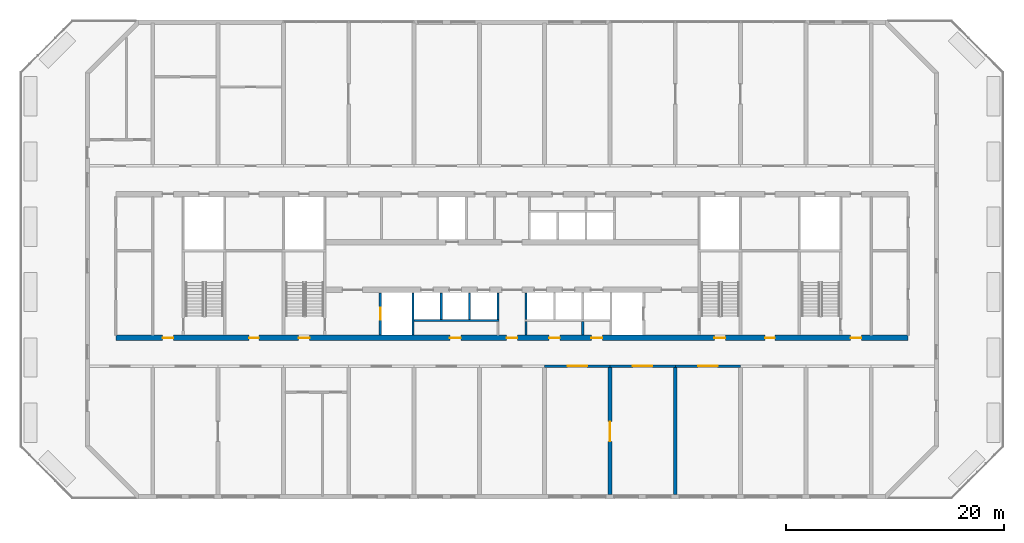
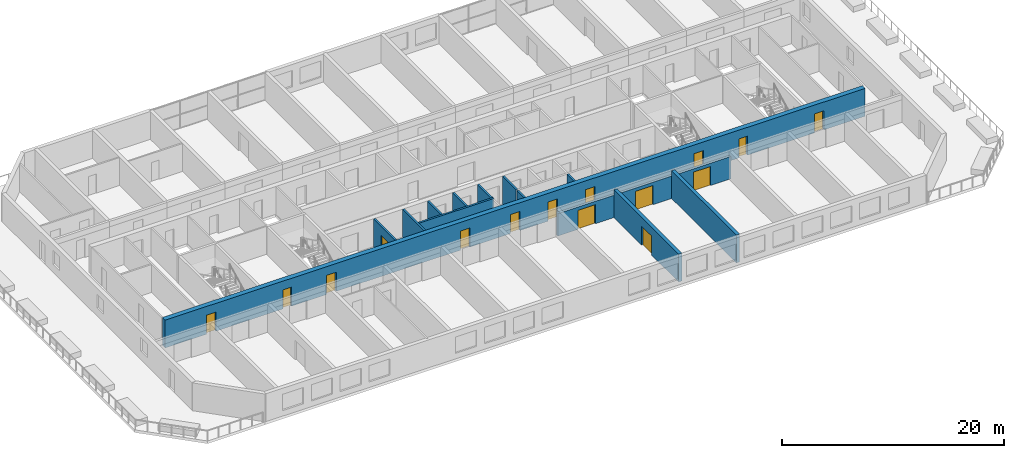
# One storey, part 9 of 18: 15 doors, 15 walls, 15 openings.
"""IFC4 building model written with IfcOpenShell, lengths in metres."""

from ifc_helpers import new_model, si_unit, direction, frame, frame_2d, origin, place, context, subcontext, project, spatial, rectangle, extrude, material, layer, layer_set, type_object, element, fill, save


model = new_model("IFC4")

# Units and contexts
model_context = context("Model", 3, precision=1e-05, world=origin(), true_north=direction((0.0, 1.0)))
body_context = subcontext(model_context, "Body", "Model", "MODEL_VIEW")
ifc_project = project(units=[si_unit("LENGTHUNIT", "METRE"), si_unit("AREAUNIT", "SQUARE_METRE"), si_unit("VOLUMEUNIT", "CUBIC_METRE"), si_unit("PLANEANGLEUNIT", "RADIAN"), si_unit("MASSUNIT", "GRAM", prefix="KILO")], contexts=[model_context])

# Site, building, storey
site_placement = place(None, origin())
site = spatial("IfcSite", under=ifc_project, at=site_placement, CompositionType="ELEMENT")
building_placement = place(site_placement, origin())
building = spatial("IfcBuilding", under=site, at=building_placement, Name="Poui Terraces", CompositionType="ELEMENT")
storey_placement = place(building_placement, frame((0.0, 0.0, 105.89990234375)))
storey = spatial("IfcBuildingStorey", under=building, at=storey_placement, Name="L29", CompositionType="ELEMENT", Elevation=105.89990234375)

# Wall, opening, door
ifc_material_1 = material(Name="Concrete 65 MPa", Category="concrete")
ifc_layer_1 = layer(ifc_material_1, 0.25)
ifc_layer_set_1 = layer_set([ifc_layer_1], Name="Concrete 65 MPa")
wall_type_1 = type_object("IfcWallType", Name="CORRIDOR WALL 250 65MPa", PredefinedType="SHEAR", material=ifc_layer_set_1)
wall_1_placement = place(storey_placement, frame((54.0, 12.0, 0.0), z_axis=(0.0, 0.0, 1.0), x_axis=(1.0, 0.0, 0.0)))
wall_1 = element("IfcWall", 1, at=wall_1_placement, inside=storey, type_object=wall_type_1, Name="CORRIDOR WALL LINE B BAY 8", PredefinedType="SHEAR", context=body_context, shape_type="SweptSolid", body=[
    extrude(rectangle(XDim=6.0, YDim=0.25, at=frame_2d((3.0, 0.0))), origin(), (0.0, 0.0, 1.0), 2.460205078125),
])
opening_1_placement = place(wall_1_placement, frame((2.10009765625, 0.0, 0.0)))
opening_1 = element("IfcOpeningElement", 2, at=opening_1_placement, cuts=wall_1, Name="Opening DD180", PredefinedType="OPENING", context=body_context, shape_type="SweptSolid", body=[
    extrude(rectangle(XDim=1.800048828125, YDim=2.10009765625, at=frame_2d((0.89990234375, 1.050048828125))), frame((0.0, 0.135009765625, 0.0), z_axis=(0.0, -1.0, 0.0), x_axis=(1.0, 0.0, 0.0)), (0.0, 0.0, 1.0), 0.27001953125),
])
ifc_material_2 = material(Name="Steel fire door", Category="steel")
door_type_1 = type_object("IfcDoorType", Name="DOUBLE INTERNAL DOOR 1800 X 2100", OperationType="DOUBLE_DOOR_SINGLE_SWING", PredefinedType="DOOR", material=ifc_material_2)
door_1_placement = place(opening_1_placement, origin())
door_1 = element("IfcDoor", 3, at=door_1_placement, inside=storey, type_object=door_type_1, Name="DOUBLE INTERNAL DOOR 044", OperationType="DOUBLE_DOOR_SINGLE_SWING", OverallHeight=2.10009765625, OverallWidth=1.800048828125, PredefinedType="DOOR", context=body_context, shape_type="SweptSolid", body=[
    extrude(rectangle(XDim=1.800048828125, YDim=2.10009765625, at=frame_2d((0.89990234375, 1.050048828125))), frame((0.0, 0.02490234375, 0.0), z_axis=(0.0, -1.0, 0.0), x_axis=(1.0, 0.0, 0.0)), (0.0, 0.0, 1.0), 0.050048828125),
])
fill(opening_1, door_1)

wall_2_placement = place(storey_placement, frame((60.0, 12.0, 0.0), z_axis=(0.0, 0.0, 1.0), x_axis=(1.0, 0.0, 0.0)))
wall_2 = element("IfcWall", 4, at=wall_2_placement, inside=storey, type_object=wall_type_1, Name="CORRIDOR WALL LINE B BAY 9", PredefinedType="SHEAR", context=body_context, shape_type="SweptSolid", body=[
    extrude(rectangle(XDim=6.0, YDim=0.25, at=frame_2d((3.0, 0.0))), origin(), (0.0, 0.0, 1.0), 2.460205078125),
])
opening_2_placement = place(wall_2_placement, frame((2.10009765625, 0.0, 0.0)))
opening_2 = element("IfcOpeningElement", 5, at=opening_2_placement, cuts=wall_2, Name="Opening DD180", PredefinedType="OPENING", context=body_context, shape_type="SweptSolid", body=[
    extrude(rectangle(XDim=1.800048828125, YDim=2.10009765625, at=frame_2d((0.89990234375, 1.050048828125))), frame((0.0, 0.135009765625, 0.0), z_axis=(0.0, -1.0, 0.0), x_axis=(1.0, 0.0, 0.0)), (0.0, 0.0, 1.0), 0.27001953125),
])
door_2_placement = place(opening_2_placement, origin())
door_2 = element("IfcDoor", 6, at=door_2_placement, inside=storey, type_object=door_type_1, Name="DOUBLE INTERNAL DOOR 046", OperationType="DOUBLE_DOOR_SINGLE_SWING", OverallHeight=2.10009765625, OverallWidth=1.800048828125, PredefinedType="DOOR", context=body_context, shape_type="SweptSolid", body=[
    extrude(rectangle(XDim=1.800048828125, YDim=2.10009765625, at=frame_2d((0.89990234375, 1.050048828125))), frame((0.0, 0.02490234375, 0.0), z_axis=(0.0, -1.0, 0.0), x_axis=(1.0, 0.0, 0.0)), (0.0, 0.0, 1.0), 0.050048828125),
])
fill(opening_2, door_2)

wall_3_placement = place(storey_placement, frame((66.0, 12.0, 0.0), z_axis=(0.0, 0.0, 1.0), x_axis=(1.0, 0.0, 0.0)))
wall_3 = element("IfcWall", 7, at=wall_3_placement, inside=storey, type_object=wall_type_1, Name="CORRIDOR WALL LINE B BAY 10", PredefinedType="SHEAR", context=body_context, shape_type="SweptSolid", body=[
    extrude(rectangle(XDim=6.0, YDim=0.25, at=frame_2d((3.0, 0.0))), origin(), (0.0, 0.0, 1.0), 2.460205078125),
])
opening_3_placement = place(wall_3_placement, frame((2.10009765625, 0.0, 0.0)))
opening_3 = element("IfcOpeningElement", 8, at=opening_3_placement, cuts=wall_3, Name="Opening DD180", PredefinedType="OPENING", context=body_context, shape_type="SweptSolid", body=[
    extrude(rectangle(XDim=1.800048828125, YDim=2.10009765625, at=frame_2d((0.89990234375, 1.050048828125))), frame((0.0, 0.135009765625, 0.0), z_axis=(0.0, -1.0, 0.0), x_axis=(1.0, 0.0, 0.0)), (0.0, 0.0, 1.0), 0.27001953125),
])
door_3_placement = place(opening_3_placement, origin())
door_3 = element("IfcDoor", 9, at=door_3_placement, inside=storey, type_object=door_type_1, Name="DOUBLE INTERNAL DOOR 047", OperationType="DOUBLE_DOOR_SINGLE_SWING", OverallHeight=2.10009765625, OverallWidth=1.800048828125, PredefinedType="DOOR", context=body_context, shape_type="SweptSolid", body=[
    extrude(rectangle(XDim=1.800048828125, YDim=2.10009765625, at=frame_2d((0.89990234375, 1.050048828125))), frame((0.0, 0.02490234375, 0.0), z_axis=(0.0, -1.0, 0.0), x_axis=(1.0, 0.0, 0.0)), (0.0, 0.0, 1.0), 0.050048828125),
])
fill(opening_3, door_3)

ifc_layer_2 = layer(ifc_material_1, 0.35009765625)
ifc_layer_set_2 = layer_set([ifc_layer_2], Name="Concrete 65 MPa")
wall_type_2 = type_object("IfcWallType", Name="CROSS WALL 350 65MPa", PredefinedType="SHEAR", material=ifc_layer_set_2)
wall_4_placement = place(storey_placement, frame((60.0, 0.199951171875, 0.0), z_axis=(0.0, 0.0, 1.0), x_axis=(0.0, 1.0, 0.0)))
wall_4 = element("IfcWall", 10, at=wall_4_placement, inside=storey, type_object=wall_type_2, Name="CROSS WALL LINE 11 SOUTH", PredefinedType="SHEAR", context=body_context, shape_type="SweptSolid", body=[
    extrude(rectangle(XDim=11.675048828125, YDim=0.35009765625, at=frame_2d((5.83740234375, 0.0))), origin(), (0.0, 0.0, 1.0), 3.06005859375),
])
opening_4_placement = place(wall_4_placement, frame((4.89990234375, 0.0, 0.0)))
opening_4 = element("IfcOpeningElement", 11, at=opening_4_placement, cuts=wall_4, Name="Opening DD180", PredefinedType="OPENING", context=body_context, shape_type="SweptSolid", body=[
    extrude(rectangle(XDim=1.800048828125, YDim=2.10009765625, at=frame_2d((0.89990234375, 1.050048828125))), frame((0.0, 0.18505859375, 0.0), z_axis=(0.0, -1.0, 0.0), x_axis=(1.0, 0.0, 0.0)), (0.0, 0.0, 1.0), 0.3701171875),
])
door_4_placement = place(opening_4_placement, origin())
door_4 = element("IfcDoor", 12, at=door_4_placement, inside=storey, type_object=door_type_1, Name="DOUBLE INTERNAL DOOR 069", OperationType="DOUBLE_DOOR_SINGLE_SWING", OverallHeight=2.10009765625, OverallWidth=1.800048828125, PredefinedType="DOOR", context=body_context, shape_type="SweptSolid", body=[
    extrude(rectangle(XDim=1.800048828125, YDim=2.10009765625, at=frame_2d((0.89990234375, 1.050048828125))), frame((0.0, 0.02490234375, 0.0), z_axis=(0.0, -1.0, 0.0), x_axis=(1.0, 0.0, 0.0)), (0.0, 0.0, 1.0), 0.050048828125),
])
fill(opening_4, door_4)

# Walls
wall_5_placement = place(storey_placement, frame((66.0, 0.199951171875, 0.0), z_axis=(0.0, 0.0, 1.0), x_axis=(0.0, 1.0, 0.0)))
element("IfcWall", 13, at=wall_5_placement, inside=storey, type_object=wall_type_2, Name="CROSS WALL LINE 12 SOUTH", PredefinedType="SHEAR", context=body_context, shape_type="SweptSolid", body=[
    extrude(rectangle(XDim=11.675048828125, YDim=0.35009765625, at=frame_2d((5.83740234375, 0.0))), origin(), (0.0, 0.0, 1.0), 3.06005859375),
])
ifc_material_3 = material(Name="Fire-rated masonry wall", Category="masonry")
ifc_layer_3 = layer(ifc_material_3, 0.199951171875)
ifc_layer_set_3 = layer_set([ifc_layer_3], Name="Fire-rated masonry wall")
wall_type_3 = type_object("IfcWallType", Name="PLANT ROOM WALL 200", PredefinedType="PARTITIONING", material=ifc_layer_set_3)
for number, where, z_axis, x_axis, name in (
    (14, (52.300048828125, 14.860107421875, 0.0), (0.0, 0.0, 1.0), (0.0, 1.0, 0.0), "PLANT ROOM WALL 200"),
    (15, (57.5, 14.860107421875, 0.0), (0.0, 0.0, 1.0), (0.0, 1.0, 0.0), "PLANT ROOM WALL 200"),
):
    element("IfcWall", number, at=place(storey_placement, frame(where, z_axis=z_axis, x_axis=x_axis)), inside=storey, type_object=wall_type_3, Name=name, PredefinedType="PARTITIONING", context=body_context, shape_type="SweptSolid", body=[
        extrude(rectangle(XDim=1.239990234375, YDim=0.199951171875, at=frame_2d((0.6201171875, 0.0))), origin(), (0.0, 0.0, 1.0), 3.06005859375),
    ])
ifc_material_4 = material(Name="Fire-rated masonry shaft wall", Category="masonry")
ifc_layer_4 = layer(ifc_material_4, 0.199951171875)
ifc_layer_set_4 = layer_set([ifc_layer_4], Name="Fire-rated masonry shaft wall")
wall_type_4 = type_object("IfcWallType", Name="SHAFT WALL 200", PredefinedType="PARTITIONING", material=ifc_layer_set_4)
wall_6_placement = place(storey_placement, frame((42.0, 16.199951171875, 0.0), z_axis=(0.0, 0.0, 1.0), x_axis=(1.0, 0.0, 0.0)))
element("IfcWall", 16, at=wall_6_placement, inside=storey, type_object=wall_type_4, Name="SHAFT WALL 200", PredefinedType="PARTITIONING", context=body_context, shape_type="SweptSolid", body=[
    extrude(rectangle(XDim=7.800048828125, YDim=0.199951171875, at=frame_2d((3.89990234375, 0.0))), origin(), (0.0, 0.0, 1.0), 3.06005859375),
])

# Wall, opening, door
wall_7_placement = place(storey_placement, frame((38.89990234375, 14.860107421875, 0.0), z_axis=(0.0, 0.0, 1.0), x_axis=(0.0, 1.0, 0.0)))
wall_7 = element("IfcWall", 17, at=wall_7_placement, inside=storey, type_object=wall_type_4, Name="SHAFT WALL 200", PredefinedType="PARTITIONING", context=body_context, shape_type="SweptSolid", body=[
    extrude(rectangle(XDim=3.8798828125, YDim=0.199951171875, at=frame_2d((1.93994140625, 0.0))), origin(), (0.0, 0.0, 1.0), 3.06005859375),
])
opening_5_placement = place(wall_7_placement, frame((1.389892578125, 0.0, 0.0)))
opening_5 = element("IfcOpeningElement", 18, at=opening_5_placement, cuts=wall_7, Name="Opening LD", PredefinedType="OPENING", context=body_context, shape_type="SweptSolid", body=[
    extrude(rectangle(XDim=1.10009765625, YDim=2.10009765625, at=frame_2d((0.550048828125, 1.050048828125))), frame((0.0, 0.10986328125, 0.0), z_axis=(0.0, -1.0, 0.0), x_axis=(1.0, 0.0, 0.0)), (0.0, 0.0, 1.0), 0.219970703125),
])
ifc_material_5 = material(Name="Stainless steel sliding door", Category="steel")
door_type_2 = type_object("IfcDoorType", Name="LIFT LANDING DOOR 1100 X 2100", OperationType="DOUBLE_DOOR_SLIDING", PredefinedType="DOOR", material=ifc_material_5)
door_5_placement = place(opening_5_placement, origin())
door_5 = element("IfcDoor", 19, at=door_5_placement, inside=storey, type_object=door_type_2, Name="LANDING DOOR", OperationType="DOUBLE_DOOR_SLIDING", OverallHeight=2.10009765625, OverallWidth=1.10009765625, PredefinedType="DOOR", context=body_context, shape_type="SweptSolid", body=[
    extrude(rectangle(XDim=1.10009765625, YDim=2.10009765625, at=frame_2d((0.550048828125, 1.050048828125))), frame((0.0, 0.02490234375, 0.0), z_axis=(0.0, -1.0, 0.0), x_axis=(1.0, 0.0, 0.0)), (0.0, 0.0, 1.0), 0.050048828125),
])
fill(opening_5, door_5)

# Walls
wall_8_placement = place(storey_placement, frame((41.89990234375, 14.860107421875, 0.0), z_axis=(0.0, 0.0, 1.0), x_axis=(0.0, 1.0, 0.0)))
element("IfcWall", 20, at=wall_8_placement, inside=storey, type_object=wall_type_4, Name="SHAFT WALL 200", PredefinedType="PARTITIONING", context=body_context, shape_type="SweptSolid", body=[
    extrude(rectangle(XDim=3.8798828125, YDim=0.199951171875, at=frame_2d((1.93994140625, 0.0))), origin(), (0.0, 0.0, 1.0), 3.06005859375),
])
for number, where, z_axis, x_axis, name in (
    (21, (44.5, 16.300048828125, 0.0), (0.0, 0.0, 1.0), (0.0, 1.0, 0.0), "SHAFT WALL 200"),
    (22, (47.10009765625, 16.300048828125, 0.0), (0.0, 0.0, 1.0), (0.0, 1.0, 0.0), "SHAFT WALL 200"),
    (23, (49.699951171875, 16.300048828125, 0.0), (0.0, 0.0, 1.0), (0.0, 1.0, 0.0), "SHAFT WALL 200"),
    (24, (52.300048828125, 16.300048828125, 0.0), (0.0, 0.0, 1.0), (0.0, 1.0, 0.0), "SHAFT WALL 200"),
):
    element("IfcWall", number, at=place(storey_placement, frame(where, z_axis=z_axis, x_axis=x_axis)), inside=storey, type_object=wall_type_4, Name=name, PredefinedType="PARTITIONING", context=body_context, shape_type="SweptSolid", body=[
        extrude(rectangle(XDim=2.43994140625, YDim=0.199951171875, at=frame_2d((1.219970703125, 0.0))), origin(), (0.0, 0.0, 1.0), 3.06005859375),
    ])

# Wall, openings, doors
ifc_layer_5 = layer(ifc_material_1, 0.5)
ifc_layer_set_5 = layer_set([ifc_layer_5], Name="Concrete 65 MPa")
wall_type_5 = type_object("IfcWallType", Name="SPINE WALL 500 65 MPA", PredefinedType="SOLIDWALL", material=ifc_layer_set_5)
wall_9_placement = place(storey_placement, frame((14.60009765625, 14.60009765625, 0.0), z_axis=(0.0, 0.0, 1.0), x_axis=(1.0, 0.0, 0.0)))
wall_9 = element("IfcWall", 25, at=wall_9_placement, inside=storey, type_object=wall_type_5, Name="SPINE WALL", PredefinedType="SOLIDWALL", context=body_context, shape_type="SweptSolid", body=[
    extrude(rectangle(XDim=72.7998046875, YDim=0.5, at=frame_2d((36.39990234375, 0.0))), origin(), (0.0, 0.0, 1.0), 3.06005859375),
])
opening_6_placement = place(wall_9_placement, frame((4.300048828125, 0.0, 0.0)))
opening_6 = element("IfcOpeningElement", 26, at=opening_6_placement, cuts=wall_9, Name="Opening FDL", PredefinedType="OPENING", context=body_context, shape_type="SweptSolid", body=[
    extrude(rectangle(XDim=1.0, YDim=2.10009765625, at=frame_2d((0.5, 1.050048828125))), frame((0.0, 0.260009765625, 0.0), z_axis=(0.0, -1.0, 0.0), x_axis=(1.0, 0.0, 0.0)), (0.0, 0.0, 1.0), 0.52001953125),
])
opening_7_placement = place(wall_9_placement, frame((12.25, 0.0, 0.0)))
opening_7 = element("IfcOpeningElement", 27, at=opening_7_placement, cuts=wall_9, Name="Opening D90", PredefinedType="OPENING", context=body_context, shape_type="SweptSolid", body=[
    extrude(rectangle(XDim=0.89990234375, YDim=2.10009765625, at=frame_2d((0.449951171875, 1.050048828125))), frame((0.0, 0.260009765625, 0.0), z_axis=(0.0, -1.0, 0.0), x_axis=(1.0, 0.0, 0.0)), (0.0, 0.0, 1.0), 0.52001953125),
])
opening_8_placement = place(wall_9_placement, frame((16.800048828125, 0.0, 0.0)))
opening_8 = element("IfcOpeningElement", 28, at=opening_8_placement, cuts=wall_9, Name="Opening FD60S", PredefinedType="OPENING", context=body_context, shape_type="SweptSolid", body=[
    extrude(rectangle(XDim=1.0, YDim=2.10009765625, at=frame_2d((0.5, 1.050048828125))), frame((0.0, 0.260009765625, 0.0), z_axis=(0.0, -1.0, 0.0), x_axis=(1.0, 0.0, 0.0)), (0.0, 0.0, 1.0), 0.52001953125),
])
opening_9_placement = place(wall_9_placement, frame((30.699951171875, 0.0, 0.0)))
opening_9 = element("IfcOpeningElement", 29, at=opening_9_placement, cuts=wall_9, Name="Opening FD60", PredefinedType="OPENING", context=body_context, shape_type="SweptSolid", body=[
    extrude(rectangle(XDim=1.0, YDim=2.10009765625, at=frame_2d((0.5, 1.050048828125))), frame((0.0, 0.260009765625, 0.0), z_axis=(0.0, -1.0, 0.0), x_axis=(1.0, 0.0, 0.0)), (0.0, 0.0, 1.0), 0.52001953125),
])
opening_10_placement = place(wall_9_placement, frame((35.89990234375, 0.0, 0.0)))
opening_10 = element("IfcOpeningElement", 30, at=opening_10_placement, cuts=wall_9, Name="Opening FDL", PredefinedType="OPENING", context=body_context, shape_type="SweptSolid", body=[
    extrude(rectangle(XDim=1.0, YDim=2.10009765625, at=frame_2d((0.5, 1.050048828125))), frame((0.0, 0.260009765625, 0.0), z_axis=(0.0, -1.0, 0.0), x_axis=(1.0, 0.0, 0.0)), (0.0, 0.0, 1.0), 0.52001953125),
])
opening_11_placement = place(wall_9_placement, frame((39.800048828125, 0.0, 0.0)))
opening_11 = element("IfcOpeningElement", 31, at=opening_11_placement, cuts=wall_9, Name="Opening FD60", PredefinedType="OPENING", context=body_context, shape_type="SweptSolid", body=[
    extrude(rectangle(XDim=1.0, YDim=2.10009765625, at=frame_2d((0.5, 1.050048828125))), frame((0.0, 0.260009765625, 0.0), z_axis=(0.0, -1.0, 0.0), x_axis=(1.0, 0.0, 0.0)), (0.0, 0.0, 1.0), 0.52001953125),
])
opening_12_placement = place(wall_9_placement, frame((43.699951171875, 0.0, 0.0)))
opening_12 = element("IfcOpeningElement", 32, at=opening_12_placement, cuts=wall_9, Name="Opening FD60", PredefinedType="OPENING", context=body_context, shape_type="SweptSolid", body=[
    extrude(rectangle(XDim=1.0, YDim=2.10009765625, at=frame_2d((0.5, 1.050048828125))), frame((0.0, 0.260009765625, 0.0), z_axis=(0.0, -1.0, 0.0), x_axis=(1.0, 0.0, 0.0)), (0.0, 0.0, 1.0), 0.52001953125),
])
opening_13_placement = place(wall_9_placement, frame((55.0, 0.0, 0.0)))
opening_13 = element("IfcOpeningElement", 33, at=opening_13_placement, cuts=wall_9, Name="Opening FD60S", PredefinedType="OPENING", context=body_context, shape_type="SweptSolid", body=[
    extrude(rectangle(XDim=1.0, YDim=2.10009765625, at=frame_2d((0.5, 1.050048828125))), frame((0.0, 0.260009765625, 0.0), z_axis=(0.0, -1.0, 0.0), x_axis=(1.0, 0.0, 0.0)), (0.0, 0.0, 1.0), 0.52001953125),
])
opening_14_placement = place(wall_9_placement, frame((59.64990234375, 0.0, 0.0)))
opening_14 = element("IfcOpeningElement", 34, at=opening_14_placement, cuts=wall_9, Name="Opening D90", PredefinedType="OPENING", context=body_context, shape_type="SweptSolid", body=[
    extrude(rectangle(XDim=0.89990234375, YDim=2.10009765625, at=frame_2d((0.449951171875, 1.050048828125))), frame((0.0, 0.260009765625, 0.0), z_axis=(0.0, -1.0, 0.0), x_axis=(1.0, 0.0, 0.0)), (0.0, 0.0, 1.0), 0.52001953125),
])
opening_15_placement = place(wall_9_placement, frame((67.5, 0.0, 0.0)))
opening_15 = element("IfcOpeningElement", 35, at=opening_15_placement, cuts=wall_9, Name="Opening FDL", PredefinedType="OPENING", context=body_context, shape_type="SweptSolid", body=[
    extrude(rectangle(XDim=1.0, YDim=2.10009765625, at=frame_2d((0.5, 1.050048828125))), frame((0.0, 0.260009765625, 0.0), z_axis=(0.0, -1.0, 0.0), x_axis=(1.0, 0.0, 0.0)), (0.0, 0.0, 1.0), 0.52001953125),
])
ifc_material_6 = material(Name="Solid core timber door", Category="wood")
door_type_3 = type_object("IfcDoorType", Name="INTERNAL DOOR 900 X 2100", OperationType="NOTDEFINED", PredefinedType="DOOR", material=ifc_material_6)
door_6_placement = place(opening_7_placement, frame((0.89990234375, 0.0, 0.0), z_axis=(0.0, 0.0, 1.0), x_axis=(-1.0, 0.0, 0.0)))
door_6 = element("IfcDoor", 36, at=door_6_placement, inside=storey, type_object=door_type_3, Name="INTERNAL DOOR 035", OperationType="SINGLE_SWING_LEFT", OverallHeight=2.10009765625, OverallWidth=0.89990234375, PredefinedType="DOOR", context=body_context, shape_type="SweptSolid", body=[
    extrude(rectangle(XDim=0.89990234375, YDim=2.10009765625, at=frame_2d((0.449951171875, 1.050048828125))), frame((0.0, 0.02490234375, 0.0), z_axis=(0.0, -1.0, 0.0), x_axis=(1.0, 0.0, 0.0)), (0.0, 0.0, 1.0), 0.050048828125),
])
fill(opening_7, door_6)
door_7_placement = place(opening_14_placement, frame((0.89990234375, 0.0, 0.0), z_axis=(0.0, 0.0, 1.0), x_axis=(-1.0, 0.0, 0.0)))
door_7 = element("IfcDoor", 37, at=door_7_placement, inside=storey, type_object=door_type_3, Name="INTERNAL DOOR 049", OperationType="SINGLE_SWING_LEFT", OverallHeight=2.10009765625, OverallWidth=0.89990234375, PredefinedType="DOOR", context=body_context, shape_type="SweptSolid", body=[
    extrude(rectangle(XDim=0.89990234375, YDim=2.10009765625, at=frame_2d((0.449951171875, 1.050048828125))), frame((0.0, 0.02490234375, 0.0), z_axis=(0.0, -1.0, 0.0), x_axis=(1.0, 0.0, 0.0)), (0.0, 0.0, 1.0), 0.050048828125),
])
fill(opening_14, door_7)
door_type_4 = type_object("IfcDoorType", Name="LOBBY FIRE DOOR 1000 X 2100", OperationType="NOTDEFINED", PredefinedType="DOOR", material=ifc_material_2)
door_8_placement = place(opening_6_placement, frame((1.0, 0.0, 0.0), z_axis=(0.0, 0.0, 1.0), x_axis=(-1.0, 0.0, 0.0)))
door_8 = element("IfcDoor", 38, at=door_8_placement, inside=storey, type_object=door_type_4, Name="LOBBY FIRE DOOR 032", OperationType="SINGLE_SWING_RIGHT", OverallHeight=2.10009765625, OverallWidth=1.0, PredefinedType="DOOR", context=body_context, shape_type="SweptSolid", body=[
    extrude(rectangle(XDim=1.0, YDim=2.10009765625, at=frame_2d((0.5, 1.050048828125))), frame((0.0, 0.02490234375, 0.0), z_axis=(0.0, -1.0, 0.0), x_axis=(1.0, 0.0, 0.0)), (0.0, 0.0, 1.0), 0.050048828125),
])
fill(opening_6, door_8)
door_9_placement = place(opening_10_placement, frame((1.0, 0.0, 0.0), z_axis=(0.0, 0.0, 1.0), x_axis=(-1.0, 0.0, 0.0)))
door_9 = element("IfcDoor", 39, at=door_9_placement, inside=storey, type_object=door_type_4, Name="LOBBY FIRE DOOR 042", OperationType="SINGLE_SWING_LEFT", OverallHeight=2.10009765625, OverallWidth=1.0, PredefinedType="DOOR", context=body_context, shape_type="SweptSolid", body=[
    extrude(rectangle(XDim=1.0, YDim=2.10009765625, at=frame_2d((0.5, 1.050048828125))), frame((0.0, 0.02490234375, 0.0), z_axis=(0.0, -1.0, 0.0), x_axis=(1.0, 0.0, 0.0)), (0.0, 0.0, 1.0), 0.050048828125),
])
fill(opening_10, door_9)
door_10_placement = place(opening_15_placement, frame((1.0, 0.0, 0.0), z_axis=(0.0, 0.0, 1.0), x_axis=(-1.0, 0.0, 0.0)))
door_10 = element("IfcDoor", 40, at=door_10_placement, inside=storey, type_object=door_type_4, Name="LOBBY FIRE DOOR 052", OperationType="SINGLE_SWING_LEFT", OverallHeight=2.10009765625, OverallWidth=1.0, PredefinedType="DOOR", context=body_context, shape_type="SweptSolid", body=[
    extrude(rectangle(XDim=1.0, YDim=2.10009765625, at=frame_2d((0.5, 1.050048828125))), frame((0.0, 0.02490234375, 0.0), z_axis=(0.0, -1.0, 0.0), x_axis=(1.0, 0.0, 0.0)), (0.0, 0.0, 1.0), 0.050048828125),
])
fill(opening_15, door_10)
door_type_5 = type_object("IfcDoorType", Name="SERVICE ROOM FIRE DOOR 1000 X 2100", OperationType="NOTDEFINED", PredefinedType="DOOR", material=ifc_material_2)
door_11_placement = place(opening_9_placement, frame((1.0, 0.0, 0.0), z_axis=(0.0, 0.0, 1.0), x_axis=(-1.0, 0.0, 0.0)))
door_11 = element("IfcDoor", 41, at=door_11_placement, inside=storey, type_object=door_type_5, Name="SERVICE ROOM FIRE DOOR 040", OperationType="SINGLE_SWING_LEFT", OverallHeight=2.10009765625, OverallWidth=1.0, PredefinedType="DOOR", context=body_context, shape_type="SweptSolid", body=[
    extrude(rectangle(XDim=1.0, YDim=2.10009765625, at=frame_2d((0.5, 1.050048828125))), frame((0.0, 0.02490234375, 0.0), z_axis=(0.0, -1.0, 0.0), x_axis=(1.0, 0.0, 0.0)), (0.0, 0.0, 1.0), 0.050048828125),
])
fill(opening_9, door_11)
door_12_placement = place(opening_11_placement, frame((1.0, 0.0, 0.0), z_axis=(0.0, 0.0, 1.0), x_axis=(-1.0, 0.0, 0.0)))
door_12 = element("IfcDoor", 42, at=door_12_placement, inside=storey, type_object=door_type_5, Name="SERVICE ROOM FIRE DOOR 043", OperationType="SINGLE_SWING_RIGHT", OverallHeight=2.10009765625, OverallWidth=1.0, PredefinedType="DOOR", context=body_context, shape_type="SweptSolid", body=[
    extrude(rectangle(XDim=1.0, YDim=2.10009765625, at=frame_2d((0.5, 1.050048828125))), frame((0.0, 0.02490234375, 0.0), z_axis=(0.0, -1.0, 0.0), x_axis=(1.0, 0.0, 0.0)), (0.0, 0.0, 1.0), 0.050048828125),
])
fill(opening_11, door_12)
door_13_placement = place(opening_12_placement, frame((1.0, 0.0, 0.0), z_axis=(0.0, 0.0, 1.0), x_axis=(-1.0, 0.0, 0.0)))
door_13 = element("IfcDoor", 43, at=door_13_placement, inside=storey, type_object=door_type_5, Name="SERVICE ROOM FIRE DOOR 045", OperationType="SINGLE_SWING_LEFT", OverallHeight=2.10009765625, OverallWidth=1.0, PredefinedType="DOOR", context=body_context, shape_type="SweptSolid", body=[
    extrude(rectangle(XDim=1.0, YDim=2.10009765625, at=frame_2d((0.5, 1.050048828125))), frame((0.0, 0.02490234375, 0.0), z_axis=(0.0, -1.0, 0.0), x_axis=(1.0, 0.0, 0.0)), (0.0, 0.0, 1.0), 0.050048828125),
])
fill(opening_12, door_13)
door_type_6 = type_object("IfcDoorType", Name="STAIR DOOR 1000 X 2100", OperationType="NOTDEFINED", PredefinedType="DOOR", material=ifc_material_2)
door_14_placement = place(opening_8_placement, origin())
door_14 = element("IfcDoor", 44, at=door_14_placement, inside=storey, type_object=door_type_6, Name="STAIR DOOR 036", OperationType="SINGLE_SWING_RIGHT", OverallHeight=2.10009765625, OverallWidth=1.0, PredefinedType="DOOR", context=body_context, shape_type="SweptSolid", body=[
    extrude(rectangle(XDim=1.0, YDim=2.10009765625, at=frame_2d((0.5, 1.050048828125))), frame((0.0, 0.02490234375, 0.0), z_axis=(0.0, -1.0, 0.0), x_axis=(1.0, 0.0, 0.0)), (0.0, 0.0, 1.0), 0.050048828125),
])
fill(opening_8, door_14)
door_15_placement = place(opening_13_placement, origin())
door_15 = element("IfcDoor", 45, at=door_15_placement, inside=storey, type_object=door_type_6, Name="STAIR DOOR 048", OperationType="SINGLE_SWING_RIGHT", OverallHeight=2.10009765625, OverallWidth=1.0, PredefinedType="DOOR", context=body_context, shape_type="SweptSolid", body=[
    extrude(rectangle(XDim=1.0, YDim=2.10009765625, at=frame_2d((0.5, 1.050048828125))), frame((0.0, 0.02490234375, 0.0), z_axis=(0.0, -1.0, 0.0), x_axis=(1.0, 0.0, 0.0)), (0.0, 0.0, 1.0), 0.050048828125),
])
fill(opening_13, door_15)

save(model, "model.ifc")
